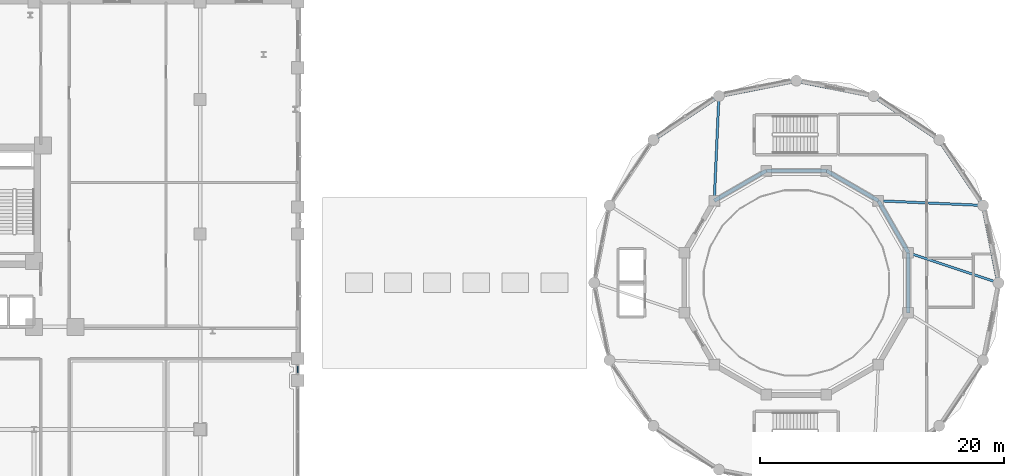
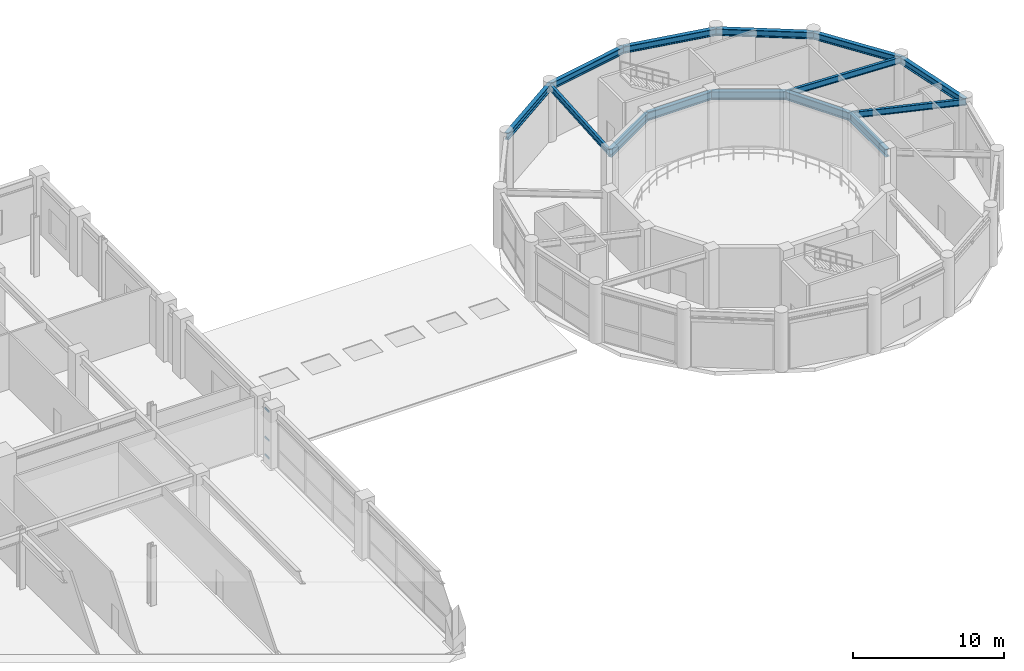
# One storey, part 13 of 34: 14 beams, 3 members, 1 element without a shape of its own.
"""IFC4 building model written with IfcOpenShell, lengths in metres."""

from ifc_helpers import new_model, si_unit, derived_unit, direction, frame, origin, origin_2d, place, context, subcontext, project, spatial, hollow_rectangle, i_section, extrude, source, transform, mapped, material, layer, layer_set, material_profile, profile_set, type_object, element, aggregate, save


model = new_model("IFC4")

# Units and contexts
model_context = context("Model", 3, precision=1e-05, world=origin(), true_north=direction((0.0, 1.0)))
body_context = subcontext(model_context, "Body", "Model", "MODEL_VIEW")
ifc_project = project(units=[si_unit("LENGTHUNIT", "METRE"), si_unit("AREAUNIT", "SQUARE_METRE"), si_unit("VOLUMEUNIT", "CUBIC_METRE"), si_unit("PLANEANGLEUNIT", "RADIAN"), si_unit("MASSUNIT", "GRAM", prefix="KILO"), derived_unit("THERMALTRANSMITTANCEUNIT", [(si_unit("POWERUNIT", "WATT"), 1), (si_unit("LENGTHUNIT", "METRE"), -2), (si_unit("THERMODYNAMICTEMPERATUREUNIT", "KELVIN"), -1)])], contexts=[model_context])

# Site, building, storey
site_placement = place(None, origin())
site = spatial("IfcSite", under=ifc_project, at=site_placement, CompositionType="ELEMENT")
building_placement = place(site_placement, origin())
building = spatial("IfcBuilding", under=site, at=building_placement, Name="Korsvarv Bourse and Concert Hall", CompositionType="ELEMENT")
storey_placement = place(building_placement, frame((0.0, 0.0, 14.39990234375)))
storey = spatial("IfcBuildingStorey", under=building, at=storey_placement, Name="L03", CompositionType="ELEMENT", Elevation=14.39990234375)

# Beams
ifc_material_1 = material(Name="Steel S355", Category="steel")
ifc_material_profile_1 = material_profile(ifc_material_1, i_section(OverallWidth=0.300048828125, OverallDepth=0.550048828125, WebThickness=0.014892578125, FlangeThickness=0.029052734375, FilletRadius=0.02392578125, at=origin_2d()), Name="HEB 550")
ifc_profile_set_1 = profile_set([ifc_material_profile_1], Name="Steel S355")
beam_type_1 = type_object("IfcBeamType", Name="BM-HEB550", PredefinedType="BEAM", material=ifc_profile_set_1)
shared_shape_1 = source(origin(), body_context, "Body", "SweptSolid", [
    extrude(i_section(OverallWidth=0.300048828125, OverallDepth=0.550048828125, WebThickness=0.014892578125, FlangeThickness=0.029052734375, FilletRadius=0.02392578125, at=origin_2d()), origin(), (0.0, 0.0, 1.0), 6.45751953125),
])
for number, where, z_axis, x_axis, name in (
    (1, (123.35009765625, 36.0, 4.22509765625), (-0.195119974887, 0.980779381615, 0.0), (-0.980779381615, -0.195119974887, 0.0), "L03 beam B-06"),
    (2, (106.800048828125, 52.550048828125, 4.22509765625), (-0.980786616034, -0.195083607229, 0.0), (0.195083607229, -0.980786616034, 0.0), "L03 beam B-06"),
    (3, (100.466552734375, 51.290283203125, 4.22509765625), (-0.83146235745, -0.55558109052, 0.0), (0.55558109052, -0.83146235745, 0.0), "L03 beam B-06"),
):
    element("IfcBeam", number, at=place(storey_placement, frame(where, z_axis=z_axis, x_axis=x_axis)), inside=storey, type_object=beam_type_1, Name=name, PredefinedType="BEAM", context=body_context, shape_type="MappedRepresentation", body=[
        mapped(shared_shape_1, transform((0.0, 0.0, 0.0), scale=1.0)),
    ])
shared_shape_2 = source(origin(), body_context, "Body", "SweptSolid", [
    extrude(i_section(OverallWidth=0.300048828125, OverallDepth=0.550048828125, WebThickness=0.014892578125, FlangeThickness=0.029052734375, FilletRadius=0.02392578125, at=origin_2d()), origin(), (0.0, 0.0, 1.0), 6.457275390625),
])
for number, where, z_axis, x_axis, name in (
    (4, (122.090087890625, 42.33349609375, 4.22509765625), (-0.555554952257, 0.831479822379, 0.0), (-0.831479822379, -0.555554952257, 0.0), "L03 beam B-06"),
    (5, (113.13330078125, 51.290283203125, 4.22509765625), (-0.980785177113, 0.19509084129, 0.0), (-0.19509084129, -0.980785177113, 0.0), "L03 beam B-06"),
):
    element("IfcBeam", number, at=place(storey_placement, frame(where, z_axis=z_axis, x_axis=x_axis)), inside=storey, type_object=beam_type_1, Name=name, PredefinedType="BEAM", context=body_context, shape_type="MappedRepresentation", body=[
        mapped(shared_shape_2, transform((0.0, 0.0, 0.0), scale=1.0)),
    ])
shared_shape_3 = source(origin(), body_context, "Body", "SweptSolid", [
    extrude(i_section(OverallWidth=0.300048828125, OverallDepth=0.550048828125, WebThickness=0.014892578125, FlangeThickness=0.029052734375, FilletRadius=0.02392578125, at=origin_2d()), origin(), (0.0, 0.0, 1.0), 6.457763671875),
])
beam_1_placement = place(storey_placement, frame((118.502685546875, 47.70263671875, 4.22509765625), z_axis=(-0.831474026951, 0.555563625974, 0.0), x_axis=(-0.555563625974, -0.831474026951, 0.0)))
element("IfcBeam", 6, at=beam_1_placement, inside=storey, type_object=beam_type_1, Name="L03 beam B-06", PredefinedType="BEAM", context=body_context, shape_type="MappedRepresentation", body=[
    mapped(shared_shape_3, transform((0.0, 0.0, 0.0), scale=1.0)),
])
ifc_material_profile_2 = material_profile(ifc_material_1, i_section(OverallWidth=0.300048828125, OverallDepth=0.64990234375, WebThickness=0.01611328125, FlangeThickness=0.031005859375, FilletRadius=0.027099609375, at=origin_2d()), Name="HEB 650")
ifc_profile_set_2 = profile_set([ifc_material_profile_2], Name="Steel S355")
beam_type_2 = type_object("IfcBeamType", Name="BM-HEB650", PredefinedType="BEAM", material=ifc_profile_set_2)
shared_shape_4 = source(origin(), body_context, "Body", "SweptSolid", [
    extrude(i_section(OverallWidth=0.300048828125, OverallDepth=0.64990234375, WebThickness=0.01611328125, FlangeThickness=0.031005859375, FilletRadius=0.027099609375, at=origin_2d()), origin(), (0.0, 0.0, 1.0), 4.91748046875),
])
for number, where, z_axis, x_axis, name in (
    (7, (115.976318359375, 38.458740234375, 4.175048828125), (-0.499988900423, 0.866031812033, 0.0), (-0.866031812033, -0.499988900423, 0.0), "L03 beam B-04"),
    (8, (113.517578125, 42.717529296875, 4.175048828125), (-0.866031812033, 0.499988900423, 0.0), (-0.499988900423, -0.866031812033, 0.0), "L03 beam B-04"),
    (9, (109.2587890625, 45.17626953125, 4.175048828125), (-1.0, 0.0, 0.0), (0.0, -1.0, 0.0), "L03 beam B-04"),
    (10, (104.34130859375, 45.17626953125, 4.175048828125), (-0.866031812033, -0.499988900423, 0.0), (0.499988900423, -0.866031812033, 0.0), "L03 beam B-04"),
    (11, (115.976318359375, 33.541259765625, 4.175048828125), (0.0, 1.0, 0.0), (-1.0, 0.0, 0.0), "L03 beam B-04"),
):
    element("IfcBeam", number, at=place(storey_placement, frame(where, z_axis=z_axis, x_axis=x_axis)), inside=storey, type_object=beam_type_2, Name=name, PredefinedType="BEAM", context=body_context, shape_type="MappedRepresentation", body=[
        mapped(shared_shape_4, transform((0.0, 0.0, 0.0), scale=1.0)),
    ])
ifc_material_profile_3 = material_profile(ifc_material_1, i_section(OverallWidth=0.199951171875, OverallDepth=0.5, WebThickness=0.01025390625, FlangeThickness=0.01611328125, FilletRadius=0.02099609375, at=origin_2d()), Name="IPE 500")
ifc_profile_set_3 = profile_set([ifc_material_profile_3], Name="Steel S355")
beam_type_3 = type_object("IfcBeamType", Name="BM-IPE500", PredefinedType="JOIST", material=ifc_profile_set_3)
shared_shape_5 = source(origin(), body_context, "Body", "SweptSolid", [
    extrude(i_section(OverallWidth=0.199951171875, OverallDepth=0.5, WebThickness=0.01025390625, FlangeThickness=0.01611328125, FilletRadius=0.02099609375, at=origin_2d()), origin(), (0.0, 0.0, 1.0), 7.77294921875),
])
beam_2_placement = place(storey_placement, frame((115.976318359375, 38.458740234375, 4.25), z_axis=(0.948651884177, -0.316321992039, 0.0), x_axis=(0.316321992039, 0.948651884177, 0.0)))
element("IfcBeam", 12, at=beam_2_placement, inside=storey, type_object=beam_type_3, Name="L03 beam J-03", PredefinedType="JOIST", context=body_context, shape_type="MappedRepresentation", body=[
    mapped(shared_shape_5, transform((0.0, 0.0, 0.0), scale=1.0)),
])
shared_shape_6 = source(origin(), body_context, "Body", "SweptSolid", [
    extrude(i_section(OverallWidth=0.199951171875, OverallDepth=0.5, WebThickness=0.01025390625, FlangeThickness=0.01611328125, FilletRadius=0.02099609375, at=origin_2d()), origin(), (0.0, 0.0, 1.0), 8.5810546875),
])
beam_3_placement = place(storey_placement, frame((113.517578125, 42.717529296875, 4.25), z_axis=(0.998998067431, -0.044753338082, 0.0), x_axis=(0.044753338082, 0.998998067431, 0.0)))
element("IfcBeam", 13, at=beam_3_placement, inside=storey, type_object=beam_type_3, Name="L03 beam J-03", PredefinedType="JOIST", context=body_context, shape_type="MappedRepresentation", body=[
    mapped(shared_shape_6, transform((0.0, 0.0, 0.0), scale=1.0)),
])
shared_shape_7 = source(origin(), body_context, "Body", "SweptSolid", [
    extrude(i_section(OverallWidth=0.199951171875, OverallDepth=0.5, WebThickness=0.01025390625, FlangeThickness=0.01611328125, FilletRadius=0.02099609375, at=origin_2d()), origin(), (0.0, 0.0, 1.0), 8.581298828125),
])
beam_4_placement = place(storey_placement, frame((100.08251953125, 42.717529296875, 4.25), z_axis=(0.044752066119, 0.998998124412, 0.0), x_axis=(-0.998998124412, 0.044752066119, 0.0)))
element("IfcBeam", 14, at=beam_4_placement, inside=storey, type_object=beam_type_3, Name="L03 beam J-03", PredefinedType="JOIST", context=body_context, shape_type="MappedRepresentation", body=[
    mapped(shared_shape_7, transform((0.0, 0.0, 0.0), scale=1.0)),
])

# Curtain wall, members
ifc_material_2 = material(Name="Anodised aluminium and triple low-E glazing", Category="glass")
ifc_layer = layer(ifc_material_2, 0.239990234375)
ifc_layer_set = layer_set([ifc_layer], Name="Anodised aluminium and triple low-E glazing")
curtain_wall_type = type_object("IfcCurtainWallType", Name="CW-SYS-5", PredefinedType="NOTDEFINED", material=ifc_layer_set)
curtain_wall_placement = place(storey_placement, origin())
curtain_wall = element("IfcCurtainWall", 15, at=curtain_wall_placement, inside=storey, type_object=curtain_wall_type, Name="L03 CW5 curtain wall CW-L03-E2-2", PredefinedType="NOTDEFINED")
ifc_material_3 = material(Name="Extruded aluminium EN AW-6063 T66", Category="aluminium")
ifc_material_profile_4 = material_profile(ifc_material_3, hollow_rectangle(XDim=0.06494140625, YDim=0.139892578125, WallThickness=0.00390625, at=origin_2d()), Name="ALU-T 65x140")
ifc_profile_set_4 = profile_set([ifc_material_profile_4], Name="Extruded aluminium EN AW-6063 T66")
member_type = type_object("IfcMemberType", Name="CWT-140", PredefinedType="USERDEFINED", material=ifc_profile_set_4)
shared_shape_8 = source(origin(), body_context, "Body", "SweptSolid", [
    extrude(hollow_rectangle(XDim=0.06494140625, YDim=0.139892578125, WallThickness=0.00390625, at=origin_2d()), origin(), (0.0, 0.0, 1.0), 0.559814453125),
])
member_1_placement = place(storey_placement, frame((66.0, 28.6201171875, 0.03271484375), z_axis=(0.0, 1.0, 0.0), x_axis=(-1.0, 0.0, 0.0)))
member_1 = element("IfcMember", 16, at=member_1_placement, type_object=member_type, Name="CW5 transom 1.1", ObjectType="TRANSOM", PredefinedType="USERDEFINED", context=body_context, shape_type="MappedRepresentation", body=[
    mapped(shared_shape_8, transform((0.0, 0.0, 0.0), scale=1.0)),
])
member_2_placement = place(storey_placement, frame((66.0, 28.6201171875, 1.45166015625), z_axis=(0.0, 1.0, 0.0), x_axis=(-1.0, 0.0, 0.0)))
member_2 = element("IfcMember", 17, at=member_2_placement, type_object=member_type, Name="CW5 transom 1.2", ObjectType="TRANSOM", PredefinedType="USERDEFINED", context=body_context, shape_type="MappedRepresentation", body=[
    mapped(shared_shape_8, transform((0.0, 0.0, 0.0), scale=1.0)),
])
member_3_placement = place(storey_placement, frame((66.0, 28.6201171875, 3.78759765625), z_axis=(0.0, 1.0, 0.0), x_axis=(-1.0, 0.0, 0.0)))
member_3 = element("IfcMember", 18, at=member_3_placement, type_object=member_type, Name="CW5 transom 1.3", ObjectType="TRANSOM", PredefinedType="USERDEFINED", context=body_context, shape_type="MappedRepresentation", body=[
    mapped(shared_shape_8, transform((0.0, 0.0, 0.0), scale=1.0)),
])
aggregate(curtain_wall, [member_1, member_2, member_3])

save(model, "model.ifc")
